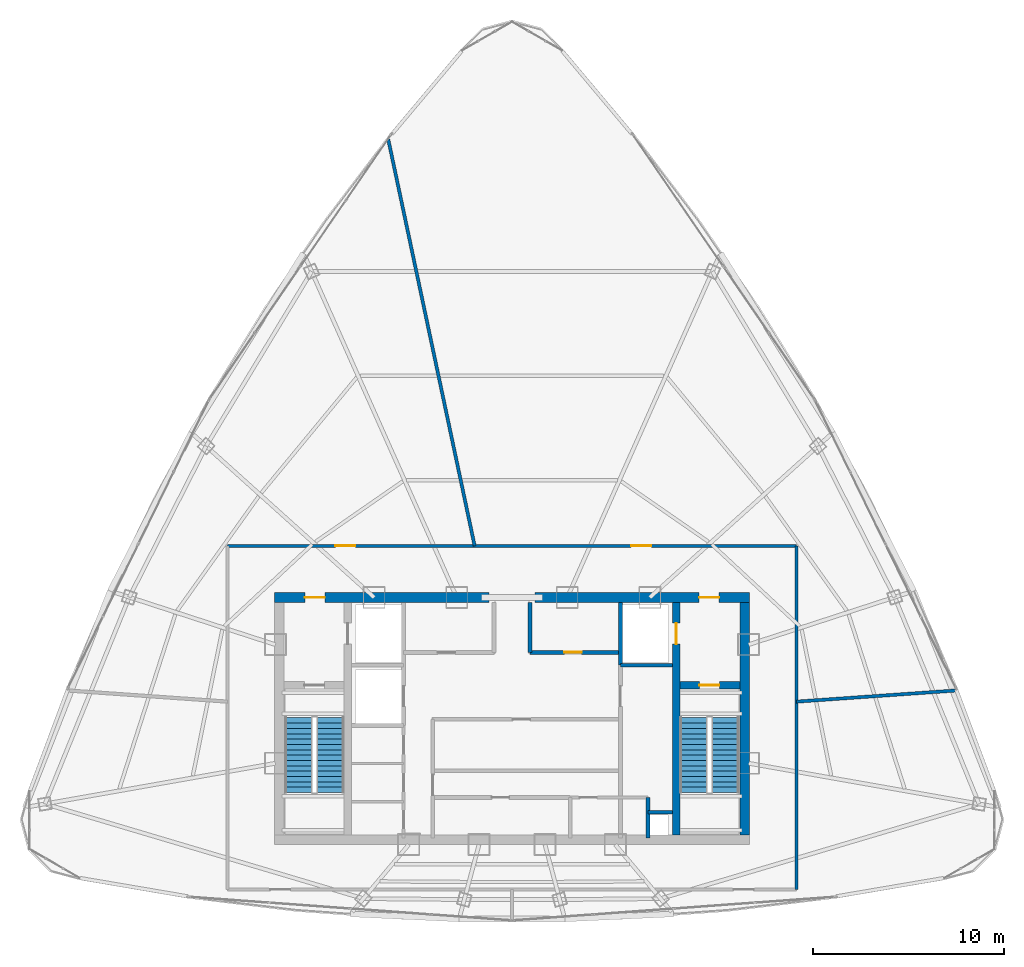
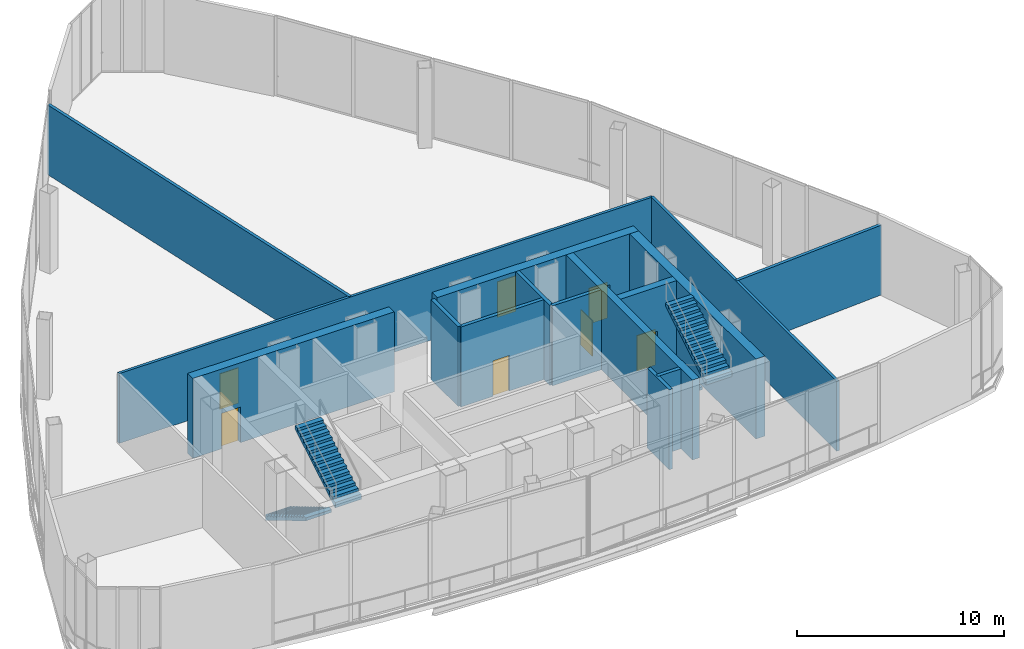
# One storey, part 30 of 33: 15 walls, 7 doors, 4 stair flights, 7 openings, 2 elements without a shape of their own.
"""IFC4 building model written with IfcOpenShell, lengths in metres."""

from ifc_helpers import new_model, si_unit, direction, frame, frame_2d, origin, origin_with_axes, place, context, subcontext, project, spatial, polyline, rectangle, outline, extrude, source, transform, mapped, material, layer, layer_set, type_object, element, fill, aggregate, save


model = new_model("IFC4")

# Units and contexts
model_context = context("Model", 3, precision=1e-05, world=origin(), true_north=direction((0.0, 1.0)))
body_context = subcontext(model_context, "Body", "Model", "MODEL_VIEW")
ifc_project = project(units=[si_unit("LENGTHUNIT", "METRE"), si_unit("AREAUNIT", "SQUARE_METRE"), si_unit("VOLUMEUNIT", "CUBIC_METRE"), si_unit("PLANEANGLEUNIT", "RADIAN"), si_unit("MASSUNIT", "GRAM", prefix="KILO"), si_unit("THERMODYNAMICTEMPERATUREUNIT", "KELVIN"), si_unit("POWERUNIT", "WATT")], contexts=[model_context])

# Site, building, storey
site_placement = place(None, origin())
site = spatial("IfcSite", under=ifc_project, at=site_placement, CompositionType="ELEMENT")
building_placement = place(site_placement, origin())
building = spatial("IfcBuilding", under=site, at=building_placement, Name="Yunzhuo Pagoda Commons", CompositionType="ELEMENT")
storey_placement = place(building_placement, frame((0.0, 0.0, 391.760009765625)))
storey = spatial("IfcBuildingStorey", under=building, at=storey_placement, Name="L97", CompositionType="ELEMENT", Elevation=391.760009765625)

# Wall, opening, door
ifc_material_1 = material(Name="Concrete C50", Category="concrete")
ifc_layer_1 = layer(ifc_material_1, 0.5)
ifc_layer_set_1 = layer_set([ifc_layer_1], Name="Concrete C50")
wall_type_1 = type_object("IfcWallType", Name="W-C03 Upper Core Shear Wall 500", PredefinedType="SHEAR", material=ifc_layer_set_1)
wall_1_placement = place(storey_placement, frame((35.550048828125, 40.199951171875, 0.0), z_axis=(0.0, 0.0, 1.0), x_axis=(1.0, 0.0, 0.0)))
wall_1 = element("IfcWall", 1, at=wall_1_placement, inside=storey, type_object=wall_type_1, Name="L97 core shear wall NW", PredefinedType="SHEAR", context=body_context, shape_type="SweptSolid", body=[
    extrude(rectangle(XDim=11.25, YDim=0.5, at=frame_2d((5.625, 0.0))), origin(), (0.0, 0.0, 1.0), 4.719970703125),
])
opening_1_placement = place(wall_1_placement, frame((1.60009765625, 0.0, 0.0)))
opening_1 = element("IfcOpeningElement", 2, at=opening_1_placement, cuts=wall_1, Name="Opening D-02", PredefinedType="OPENING", context=body_context, shape_type="SweptSolid", body=[
    extrude(rectangle(XDim=1.050048828125, YDim=2.10009765625, at=frame_2d((0.52490234375, 1.050048828125))), frame((0.0, 0.260009765625, 0.0), z_axis=(0.0, -1.0, 0.0), x_axis=(1.0, 0.0, 0.0)), (0.0, 0.0, 1.0), 0.52001953125),
])
ifc_material_2 = material(Name="Galvanized fire-resisting metal leaf")
door_type_1 = type_object("IfcDoorType", Name="D-02 Firefighting Lobby & Refuge Fire Door 1050x2100", OperationType="NOTDEFINED", PredefinedType="DOOR", material=ifc_material_2)
shared_shape_1 = source(origin(), body_context, "Body", "SweptSolid", [
    extrude(rectangle(XDim=1.050048828125, YDim=2.10009765625, at=frame_2d((0.52490234375, 1.050048828125))), frame((0.0, 0.02490234375, 0.0), z_axis=(0.0, -1.0, 0.0), x_axis=(1.0, 0.0, 0.0)), (0.0, 0.0, 1.0), 0.050048828125),
])
door_1_placement = place(opening_1_placement, frame((1.050048828125, 0.0, 0.0), z_axis=(0.0, 0.0, 1.0), x_axis=(-1.0, 0.0, 0.0)))
door_1 = element("IfcDoor", 3, at=door_1_placement, inside=storey, type_object=door_type_1, Name="L97 Firefighting Lobby 1 fire door", OperationType="SINGLE_SWING_LEFT", OverallHeight=2.10009765625, OverallWidth=1.050048828125, PredefinedType="DOOR", context=body_context, shape_type="MappedRepresentation", body=[
    mapped(shared_shape_1, transform((0.0, 0.0, 0.0), scale=1.0)),
])
fill(opening_1, door_1)

wall_2_placement = place(storey_placement, frame((49.199951171875, 40.199951171875, 0.0), z_axis=(0.0, 0.0, 1.0), x_axis=(1.0, 0.0, 0.0)))
wall_2 = element("IfcWall", 4, at=wall_2_placement, inside=storey, type_object=wall_type_1, Name="L97 core shear wall NE", PredefinedType="SHEAR", context=body_context, shape_type="SweptSolid", body=[
    extrude(rectangle(XDim=11.25, YDim=0.5, at=frame_2d((5.625, 0.0))), origin(), (0.0, 0.0, 1.0), 4.719970703125),
])
opening_2_placement = place(wall_2_placement, frame((8.60009765625, 0.0, 0.0)))
opening_2 = element("IfcOpeningElement", 5, at=opening_2_placement, cuts=wall_2, Name="Opening D-02", PredefinedType="OPENING", context=body_context, shape_type="SweptSolid", body=[
    extrude(rectangle(XDim=1.050048828125, YDim=2.10009765625, at=frame_2d((0.52490234375, 1.050048828125))), frame((0.0, 0.260009765625, 0.0), z_axis=(0.0, -1.0, 0.0), x_axis=(1.0, 0.0, 0.0)), (0.0, 0.0, 1.0), 0.52001953125),
])
door_2_placement = place(opening_2_placement, frame((1.050048828125, 0.0, 0.0), z_axis=(0.0, 0.0, 1.0), x_axis=(-1.0, 0.0, 0.0)))
door_2 = element("IfcDoor", 6, at=door_2_placement, inside=storey, type_object=door_type_1, Name="L97 Firefighting Lobby 2 fire door", OperationType="SINGLE_SWING_RIGHT", OverallHeight=2.10009765625, OverallWidth=1.050048828125, PredefinedType="DOOR", context=body_context, shape_type="MappedRepresentation", body=[
    mapped(shared_shape_1, transform((0.0, 0.0, 0.0), scale=1.0)),
])
fill(opening_2, door_2)

# Walls
wall_3_placement = place(storey_placement, frame((60.199951171875, 27.75, 0.0), z_axis=(0.0, 0.0, 1.0), x_axis=(0.0, 1.0, 0.0)))
element("IfcWall", 7, at=wall_3_placement, inside=storey, type_object=wall_type_1, Name="L97 core shear wall E", PredefinedType="SHEAR", context=body_context, shape_type="SweptSolid", body=[
    extrude(rectangle(XDim=12.199951171875, YDim=0.5, at=frame_2d((6.10009765625, 0.0))), origin(), (0.0, 0.0, 1.0), 4.719970703125),
])
ifc_material_3 = material(Name="Gypsum plasterboard on acoustic stud")
ifc_layer_2 = layer(ifc_material_3, 0.14990234375)
ifc_layer_set_2 = layer_set([ifc_layer_2], Name="Gypsum plasterboard on acoustic stud")
wall_type_2 = type_object("IfcWallType", Name="W-COR3 High-Zone Rated Corridor Wall 150", PredefinedType="PARTITIONING", material=ifc_layer_set_2)
wall_4_placement = place(storey_placement, frame((62.89990234375, 24.89990234375, 0.0), z_axis=(0.0, 0.0, 1.0), x_axis=(0.0, 1.0, 0.0)))
element("IfcWall", 8, at=wall_4_placement, inside=storey, type_object=wall_type_2, Name="L97 interior wall IW-L97-SCW02", PredefinedType="PARTITIONING", context=body_context, shape_type="SweptSolid", body=[
    extrude(rectangle(XDim=18.0, YDim=0.14990234375, at=frame_2d((9.0, 0.0))), origin(), (0.0, 0.0, 1.0), 4.119873046875),
])

# Wall, openings, doors
wall_5_placement = place(storey_placement, frame((62.89990234375, 42.89990234375, 0.0), z_axis=(0.0, 0.0, 1.0), x_axis=(-1.0, 0.0, 0.0)))
wall_5 = element("IfcWall", 9, at=wall_5_placement, inside=storey, type_object=wall_type_2, Name="L97 interior wall IW-L97-SCW03", PredefinedType="PARTITIONING", context=body_context, shape_type="SweptSolid", body=[
    extrude(rectangle(XDim=29.7998046875, YDim=0.14990234375, at=frame_2d((14.89990234375, 0.0))), origin(), (0.0, 0.0, 1.0), 4.119873046875),
])
opening_3_placement = place(wall_5_placement, frame((7.602783203125, 0.0, 0.0)))
opening_3 = element("IfcOpeningElement", 10, at=opening_3_placement, cuts=wall_5, Name="Opening D-02", PredefinedType="OPENING", context=body_context, shape_type="SweptSolid", body=[
    extrude(rectangle(XDim=1.050048828125, YDim=2.10009765625, at=frame_2d((0.52490234375, 1.050048828125))), frame((0.0, 0.0849609375, 0.0), z_axis=(0.0, -1.0, 0.0), x_axis=(1.0, 0.0, 0.0)), (0.0, 0.0, 1.0), 0.169921875),
])
opening_4_placement = place(wall_5_placement, frame((23.102783203125, 0.0, 0.0)))
opening_4 = element("IfcOpeningElement", 11, at=opening_4_placement, cuts=wall_5, Name="Opening D-02", PredefinedType="OPENING", context=body_context, shape_type="SweptSolid", body=[
    extrude(rectangle(XDim=1.050048828125, YDim=2.10009765625, at=frame_2d((0.52490234375, 1.050048828125))), frame((0.0, 0.0849609375, 0.0), z_axis=(0.0, -1.0, 0.0), x_axis=(1.0, 0.0, 0.0)), (0.0, 0.0, 1.0), 0.169921875),
])
door_3_placement = place(opening_3_placement, origin_with_axes())
door_3 = element("IfcDoor", 12, at=door_3_placement, inside=storey, type_object=door_type_1, Name="L97 Crown Centrifugal Chiller Plant door", OperationType="SINGLE_SWING_LEFT", OverallHeight=2.10009765625, OverallWidth=1.050048828125, PredefinedType="DOOR", context=body_context, shape_type="MappedRepresentation", body=[
    mapped(shared_shape_1, transform((0.0, 0.0, 0.0), scale=1.0)),
])
fill(opening_3, door_3)
door_4_placement = place(opening_4_placement, origin_with_axes())
door_4 = element("IfcDoor", 13, at=door_4_placement, inside=storey, type_object=door_type_1, Name="L97 Crown Acoustic Cooling Plant Room door", OperationType="SINGLE_SWING_RIGHT", OverallHeight=2.10009765625, OverallWidth=1.050048828125, PredefinedType="DOOR", context=body_context, shape_type="MappedRepresentation", body=[
    mapped(shared_shape_1, transform((0.0, 0.0, 0.0), scale=1.0)),
])
fill(opening_4, door_4)

# Walls
ifc_layer_3 = layer(ifc_material_3, 0.169921875)
ifc_layer_set_3 = layer_set([ifc_layer_3], Name="Gypsum plasterboard on acoustic stud")
wall_type_3 = type_object("IfcWallType", Name="W-PRT4 High-Zone Demising Wall 170", PredefinedType="PARTITIONING", material=ifc_layer_set_3)
wall_6_placement = place(storey_placement, frame((62.89990234375, 34.741943359375, 0.0), z_axis=(0.0, 0.0, 1.0), x_axis=(0.997563993403, 0.069757286835, 0.0)))
element("IfcWall", 14, at=wall_6_placement, inside=storey, type_object=wall_type_3, Name="L97 interior wall IW-L97-SRAD1", PredefinedType="PARTITIONING", context=body_context, shape_type="SweptSolid", body=[
    extrude(rectangle(XDim=8.420654296875, YDim=0.169921875, at=frame_2d((4.21044921875, 0.0))), origin(), (0.0, 0.0, 1.0), 4.119873046875),
])
wall_7_placement = place(storey_placement, frame((46.04443359375, 42.89990234375, 0.0), z_axis=(0.0, 0.0, 1.0), x_axis=(-0.207906465553, 0.978148711384, 0.0)))
element("IfcWall", 15, at=wall_7_placement, inside=storey, type_object=wall_type_3, Name="L97 interior wall IW-L97-SRAD2", PredefinedType="PARTITIONING", context=body_context, shape_type="SweptSolid", body=[
    extrude(rectangle(XDim=21.78759765625, YDim=0.169921875, at=frame_2d((10.893798828125, 0.0))), origin(), (0.0, 0.0, 1.0), 4.119873046875),
])

# Wall, opening, door
ifc_material_4 = material(Name="Concrete C60", Category="concrete")
ifc_layer_4 = layer(ifc_material_4, 0.39990234375)
ifc_layer_set_4 = layer_set([ifc_layer_4], Name="Concrete C60")
wall_type_4 = type_object("IfcWallType", Name="W-S01 Internal Core Shear Web 400", PredefinedType="SHEAR", material=ifc_layer_set_4)
wall_8_placement = place(storey_placement, frame((56.60009765625, 27.75, 0.0), z_axis=(0.0, 0.0, 1.0), x_axis=(0.0, 1.0, 0.0)))
wall_8 = element("IfcWall", 16, at=wall_8_placement, inside=storey, type_object=wall_type_4, Name="L97 core shear wall WEBE", PredefinedType="SHEAR", context=body_context, shape_type="SweptSolid", body=[
    extrude(rectangle(XDim=12.199951171875, YDim=0.39990234375, at=frame_2d((6.10009765625, 0.0))), origin(), (0.0, 0.0, 1.0), 4.719970703125),
])
opening_5_placement = place(wall_8_placement, frame((10.0, 0.0, 0.0)))
opening_5 = element("IfcOpeningElement", 17, at=opening_5_placement, cuts=wall_8, Name="Opening LD-01", PredefinedType="OPENING", context=body_context, shape_type="SweptSolid", body=[
    extrude(rectangle(XDim=1.10009765625, YDim=2.10009765625, at=frame_2d((0.550048828125, 1.050048828125))), frame((0.0, 0.2099609375, 0.0), z_axis=(0.0, -1.0, 0.0), x_axis=(1.0, 0.0, 0.0)), (0.0, 0.0, 1.0), 0.419921875),
])
door_type_2 = type_object("IfcDoorType", Name="LD-01 Firefighting Lift Landing Door 1100x2100", OperationType="DOUBLE_DOOR_SLIDING", PredefinedType="DOOR", material=ifc_material_2)
shared_shape_2 = source(origin(), body_context, "Body", "SweptSolid", [
    extrude(rectangle(XDim=1.10009765625, YDim=2.10009765625, at=frame_2d((0.550048828125, 1.050048828125))), frame((0.0, 0.02490234375, 0.0), z_axis=(0.0, -1.0, 0.0), x_axis=(1.0, 0.0, 0.0)), (0.0, 0.0, 1.0), 0.050048828125),
])
door_5_placement = place(opening_5_placement, origin_with_axes())
door_5 = element("IfcDoor", 18, at=door_5_placement, inside=storey, type_object=door_type_2, Name="L97 Firefighting lift FL-2 landing door", OperationType="DOUBLE_DOOR_SLIDING", OverallHeight=2.10009765625, OverallWidth=1.10009765625, PredefinedType="DOOR", context=body_context, shape_type="MappedRepresentation", body=[
    mapped(shared_shape_2, transform((0.0, 0.0, 0.0), scale=1.0)),
])
fill(opening_5, door_5)

wall_9_placement = place(storey_placement, frame((56.800048828125, 35.60009765625, 0.0), z_axis=(0.0, 0.0, 1.0), x_axis=(1.0, 0.0, 0.0)))
wall_9 = element("IfcWall", 19, at=wall_9_placement, inside=storey, type_object=wall_type_4, Name="L97 core shear wall STE", PredefinedType="SHEAR", context=body_context, shape_type="SweptSolid", body=[
    extrude(rectangle(XDim=3.14990234375, YDim=0.39990234375, at=frame_2d((1.574951171875, 0.0))), origin(), (0.0, 0.0, 1.0), 4.719970703125),
])
opening_6_placement = place(wall_9_placement, frame((1.02001953125, 0.0, 0.0)))
opening_6 = element("IfcOpeningElement", 20, at=opening_6_placement, cuts=wall_9, Name="Opening D-01", PredefinedType="OPENING", context=body_context, shape_type="SweptSolid", body=[
    extrude(rectangle(XDim=1.050048828125, YDim=2.10009765625, at=frame_2d((0.52490234375, 1.050048828125))), frame((0.0, 0.2099609375, 0.0), z_axis=(0.0, -1.0, 0.0), x_axis=(1.0, 0.0, 0.0)), (0.0, 0.0, 1.0), 0.419921875),
])
door_type_3 = type_object("IfcDoorType", Name="D-01 Smokeproof Stair Fire Door 1050x2100", OperationType="NOTDEFINED", PredefinedType="DOOR", material=ifc_material_2)
door_6_placement = place(opening_6_placement, frame((1.050048828125, 0.0, 0.0), z_axis=(0.0, 0.0, 1.0), x_axis=(-1.0, 0.0, 0.0)))
door_6 = element("IfcDoor", 21, at=door_6_placement, inside=storey, type_object=door_type_3, Name="L97 Stair ST2 fire door", OperationType="SINGLE_SWING_RIGHT", OverallHeight=2.10009765625, OverallWidth=1.050048828125, PredefinedType="DOOR", context=body_context, shape_type="MappedRepresentation", body=[
    mapped(shared_shape_1, transform((0.0, 0.0, 0.0), scale=1.0)),
])
fill(opening_6, door_6)

# Walls
ifc_material_5 = material(Name="Concrete C40", Category="concrete")
ifc_layer_5 = layer(ifc_material_5, 0.199951171875)
ifc_layer_set_5 = layer_set([ifc_layer_5], Name="Concrete C40")
wall_type_5 = type_object("IfcWallType", Name="W-SHF Shaft & Stair Enclosure Wall 200", PredefinedType="SOLIDWALL", material=ifc_layer_set_5)
wall_10_placement = place(storey_placement, frame((53.679931640625, 36.64990234375, 0.0), z_axis=(0.0, 0.0, 1.0), x_axis=(0.0, 1.0, 0.0)))
element("IfcWall", 22, at=wall_10_placement, inside=storey, type_object=wall_type_5, Name="L97 interior wall IW-L97-FL2W", PredefinedType="SOLIDWALL", context=body_context, shape_type="SweptSolid", body=[
    extrude(rectangle(XDim=3.300048828125, YDim=0.199951171875, at=frame_2d((1.64990234375, 0.0))), origin(), (0.0, 0.0, 1.0), 4.719970703125),
])
wall_11_placement = place(storey_placement, frame((53.679931640625, 36.64990234375, 0.0), z_axis=(0.0, 0.0, 1.0), x_axis=(1.0, 0.0, 0.0)))
element("IfcWall", 23, at=wall_11_placement, inside=storey, type_object=wall_type_5, Name="L97 interior wall IW-L97-FL2S", PredefinedType="SOLIDWALL", context=body_context, shape_type="SweptSolid", body=[
    extrude(rectangle(XDim=2.719970703125, YDim=0.199951171875, at=frame_2d((1.35986328125, 0.0))), origin(), (0.0, 0.0, 1.0), 4.719970703125),
])

# Wall, opening, door
wall_12_placement = place(storey_placement, frame((48.949951171875, 37.320068359375, 0.0), z_axis=(0.0, 0.0, 1.0), x_axis=(1.0, 0.0, 0.0)))
wall_12 = element("IfcWall", 24, at=wall_12_placement, inside=storey, type_object=wall_type_5, Name="L97 interior wall IW-L97-LBNE", PredefinedType="SOLIDWALL", context=body_context, shape_type="SweptSolid", body=[
    extrude(rectangle(XDim=4.72998046875, YDim=0.199951171875, at=frame_2d((2.364990234375, 0.0))), origin(), (0.0, 0.0, 1.0), 4.719970703125),
])
opening_7_placement = place(wall_12_placement, frame((1.800048828125, 0.0, 0.0)))
opening_7 = element("IfcOpeningElement", 25, at=opening_7_placement, cuts=wall_12, Name="Opening D-03", PredefinedType="OPENING", context=body_context, shape_type="SweptSolid", body=[
    extrude(rectangle(XDim=0.89990234375, YDim=2.10009765625, at=frame_2d((0.449951171875, 1.050048828125))), frame((0.0, 0.10986328125, 0.0), z_axis=(0.0, -1.0, 0.0), x_axis=(1.0, 0.0, 0.0)), (0.0, 0.0, 1.0), 0.219970703125),
])
door_type_4 = type_object("IfcDoorType", Name="D-03 Core Service Fire Door 900x2100", OperationType="NOTDEFINED", PredefinedType="DOOR", material=ifc_material_2)
shared_shape_3 = source(origin(), body_context, "Body", "SweptSolid", [
    extrude(rectangle(XDim=0.89990234375, YDim=2.10009765625, at=frame_2d((0.449951171875, 1.050048828125))), frame((0.0, 0.02490234375, 0.0), z_axis=(0.0, -1.0, 0.0), x_axis=(1.0, 0.0, 0.0)), (0.0, 0.0, 1.0), 0.050048828125),
])
door_7_placement = place(opening_7_placement, frame((0.89990234375, 0.0, 0.0), z_axis=(0.0, 0.0, 1.0), x_axis=(-1.0, 0.0, 0.0)))
door_7 = element("IfcDoor", 26, at=door_7_placement, inside=storey, type_object=door_type_4, Name="L97 core east store door", OperationType="SINGLE_SWING_RIGHT", OverallHeight=2.10009765625, OverallWidth=0.89990234375, PredefinedType="DOOR", context=body_context, shape_type="MappedRepresentation", body=[
    mapped(shared_shape_3, transform((0.0, 0.0, 0.0), scale=1.0)),
])
fill(opening_7, door_7)

# Walls
wall_13_placement = place(storey_placement, frame((48.949951171875, 37.320068359375, 0.0), z_axis=(0.0, 0.0, 1.0), x_axis=(0.0, 1.0, 0.0)))
element("IfcWall", 27, at=wall_13_placement, inside=storey, type_object=wall_type_5, Name="L97 interior wall IW-L97-THRE", PredefinedType="SOLIDWALL", context=body_context, shape_type="SweptSolid", body=[
    extrude(rectangle(XDim=2.6298828125, YDim=0.199951171875, at=frame_2d((1.31494140625, 0.0))), origin(), (0.0, 0.0, 1.0), 4.719970703125),
])
wall_14_placement = place(storey_placement, frame((55.1201171875, 27.60009765625, 0.0), z_axis=(0.0, 0.0, 1.0), x_axis=(0.0, 1.0, 0.0)))
element("IfcWall", 28, at=wall_14_placement, inside=storey, type_object=wall_type_5, Name="L97 interior wall IW-L97-RSHFW", PredefinedType="SOLIDWALL", context=body_context, shape_type="SweptSolid", body=[
    extrude(rectangle(XDim=2.119873046875, YDim=0.199951171875, at=frame_2d((1.06005859375, 0.0))), origin(), (0.0, 0.0, 1.0), 4.719970703125),
])
wall_15_placement = place(storey_placement, frame((55.1201171875, 28.949951171875, 0.0), z_axis=(0.0, 0.0, 1.0), x_axis=(1.0, 0.0, 0.0)))
element("IfcWall", 29, at=wall_15_placement, inside=storey, type_object=wall_type_5, Name="L97 interior wall IW-L97-RSHFN", PredefinedType="SOLIDWALL", context=body_context, shape_type="SweptSolid", body=[
    extrude(rectangle(XDim=1.27978515625, YDim=0.199951171875, at=frame_2d((0.639892578125, 0.0))), origin(), (0.0, 0.0, 1.0), 4.719970703125),
])

# Stair, stair flights
stair_type_1 = type_object("IfcStairType", Name="ST-C1 Core Smokeproof Stair ST1", PredefinedType="HALF_TURN_STAIR", material=ifc_material_5)
stair_1_placement = place(storey_placement, origin())
stair_1 = element("IfcStair", 30, at=stair_1_placement, inside=storey, type_object=stair_type_1, Name="L97 Core smokeproof stair ST1", PredefinedType="HALF_TURN_STAIR")
stair_flight_type_1 = type_object("IfcStairFlightType", Name="STF-C1 Core Stair Flight 1450", PredefinedType="STRAIGHT", material=ifc_material_5)
shared_shape_4 = source(origin(), body_context, "Body", "SweptSolid", [
    extrude(outline(polyline([(0.0, -0.14990234375), (0.0, 0.0), (0.0, 0.166748046875), (0.280029296875, 0.166748046875), (0.280029296875, 0.333251953125), (0.56005859375, 0.333251953125), (0.56005859375, 0.5), (0.840087890625, 0.5), (0.840087890625, 0.666748046875), (1.1201171875, 0.666748046875), (1.1201171875, 0.833251953125), (1.39990234375, 0.833251953125), (1.39990234375, 1.0), (1.679931640625, 1.0), (1.679931640625, 1.166748046875), (1.9599609375, 1.166748046875), (1.9599609375, 1.333251953125), (2.239990234375, 1.333251953125), (2.239990234375, 1.5), (2.52001953125, 1.5), (2.52001953125, 1.666748046875), (2.800048828125, 1.666748046875), (2.800048828125, 1.833251953125), (3.080078125, 1.833251953125), (3.080078125, 2.0), (3.360107421875, 2.0), (3.360107421875, 2.166748046875), (3.639892578125, 2.166748046875), (3.639892578125, 2.333251953125), (3.919921875, 2.333251953125), (3.919921875, 2.5), (3.919921875, 2.158935546875), (0.29296875, 0.0), (0.050048828125, -0.14990234375), (0.0, -0.14990234375)])), frame((0.0, 0.72509765625, 0.0), z_axis=(0.0, -1.0, 0.0), x_axis=(1.0, 0.0, 0.0)), (0.0, 0.0, 1.0), 1.449951171875),
])
stair_flight_1_placement = place(storey_placement, frame((36.824951171875, 33.89990234375, 0.0), z_axis=(0.0, 0.0, 1.0), x_axis=(0.0, -1.0, 0.0)))
stair_flight_1 = element("IfcStairFlight", 31, at=stair_flight_1_placement, type_object=stair_flight_type_1, Name="ST1 flight 1", NumberOfRisers=15, NumberOfTreads=14, PredefinedType="STRAIGHT", RiserHeight=0.166666667, TreadLength=0.28, context=body_context, shape_type="MappedRepresentation", body=[
    mapped(shared_shape_4, transform((0.0, 0.0, 0.0), scale=1.0)),
])
stair_flight_2_placement = place(storey_placement, frame((38.47509765625, 29.97998046875, 2.5), z_axis=(0.0, 0.0, 1.0), x_axis=(0.0, 1.0, 0.0)))
stair_flight_2 = element("IfcStairFlight", 32, at=stair_flight_2_placement, type_object=stair_flight_type_1, Name="ST1 flight 2", NumberOfRisers=15, NumberOfTreads=14, PredefinedType="STRAIGHT", RiserHeight=0.166666667, TreadLength=0.28, context=body_context, shape_type="MappedRepresentation", body=[
    mapped(shared_shape_4, transform((0.0, 0.0, 0.0), scale=1.0)),
])
aggregate(stair_1, [stair_flight_1, stair_flight_2])

stair_type_2 = type_object("IfcStairType", Name="ST-C2 Core Smokeproof Stair ST2", PredefinedType="HALF_TURN_STAIR", material=ifc_material_5)
stair_2_placement = place(storey_placement, origin())
stair_2 = element("IfcStair", 33, at=stair_2_placement, inside=storey, type_object=stair_type_2, Name="L97 Core smokeproof stair ST2", PredefinedType="HALF_TURN_STAIR")
stair_flight_type_2 = type_object("IfcStairFlightType", Name="STF-C2 Core Stair Flight 1460", PredefinedType="STRAIGHT", material=ifc_material_5)
stair_flight_3_placement = place(storey_placement, frame((57.52490234375, 33.89990234375, 0.0), z_axis=(0.0, 0.0, 1.0), x_axis=(0.0, -1.0, 0.0)))
stair_flight_3 = element("IfcStairFlight", 34, at=stair_flight_3_placement, type_object=stair_flight_type_2, Name="ST2 flight 1", NumberOfRisers=15, NumberOfTreads=14, PredefinedType="STRAIGHT", RiserHeight=0.166666667, TreadLength=0.28, context=body_context, shape_type="MappedRepresentation", body=[
    mapped(shared_shape_4, transform((0.0, 0.0, 0.0), scale=1.0)),
])
stair_flight_4_placement = place(storey_placement, frame((59.175048828125, 29.97998046875, 2.5), z_axis=(0.0, 0.0, 1.0), x_axis=(0.0, 1.0, 0.0)))
stair_flight_4 = element("IfcStairFlight", 35, at=stair_flight_4_placement, type_object=stair_flight_type_2, Name="ST2 flight 2", NumberOfRisers=15, NumberOfTreads=14, PredefinedType="STRAIGHT", RiserHeight=0.166666667, TreadLength=0.28, context=body_context, shape_type="MappedRepresentation", body=[
    mapped(shared_shape_4, transform((0.0, 0.0, 0.0), scale=1.0)),
])
aggregate(stair_2, [stair_flight_3, stair_flight_4])

save(model, "model.ifc")
